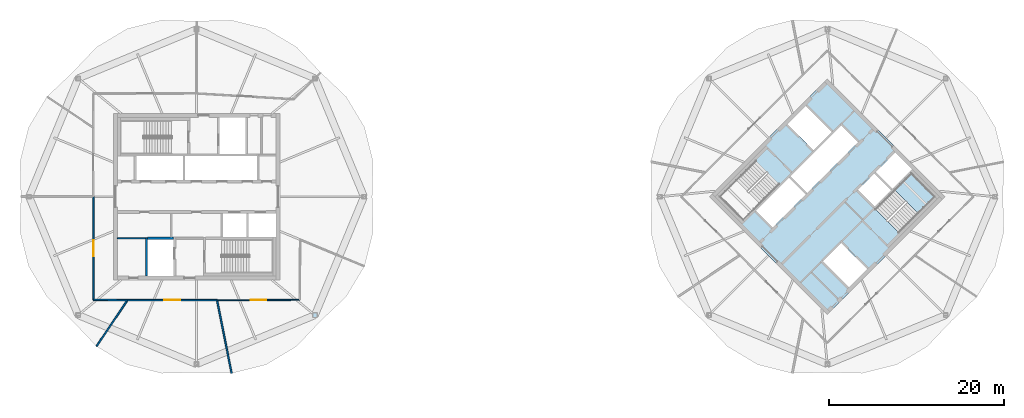
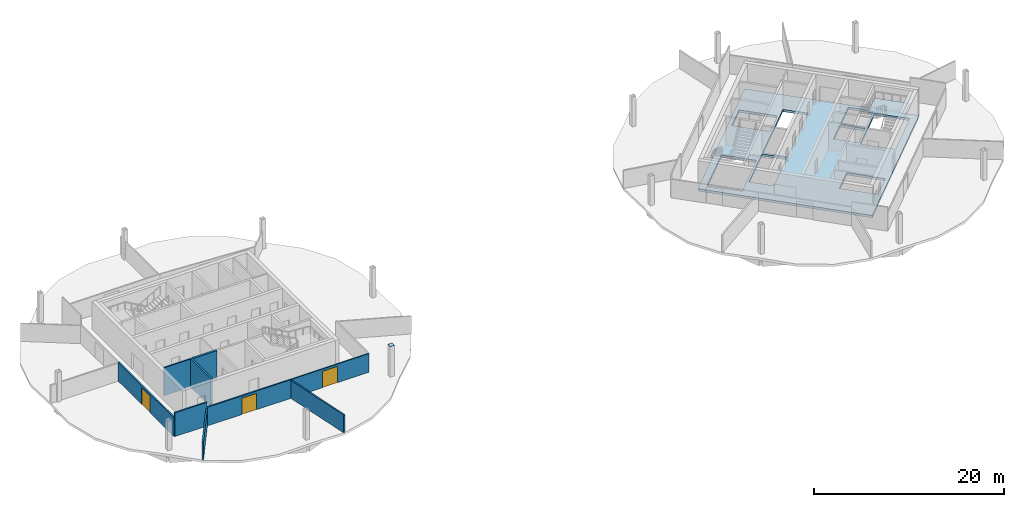
# One storey, part 4 of 10: 9 walls, 3 doors, 2 slabs, 1 plate, 3 openings, 1 element without a shape of its own.
"""IFC4 building model written with IfcOpenShell, lengths in metres."""

from ifc_helpers import new_model, si_unit, direction, frame, frame_2d, origin, place, context, subcontext, project, spatial, polyline, rectangle, outline, extrude, material, layer, layer_set, type_object, element, fill, aggregate, save


model = new_model("IFC4")

# Units and contexts
model_context = context("Model", 3, precision=1e-05, world=origin(), true_north=direction((0.0, 1.0)))
body_context = subcontext(model_context, "Body", "Model", "MODEL_VIEW")
ifc_project = project(units=[si_unit("LENGTHUNIT", "METRE"), si_unit("AREAUNIT", "SQUARE_METRE"), si_unit("VOLUMEUNIT", "CUBIC_METRE"), si_unit("PLANEANGLEUNIT", "RADIAN"), si_unit("MASSUNIT", "GRAM", prefix="KILO")], contexts=[model_context])

# Site, building, storey
site_placement = place(None, origin())
site = spatial("IfcSite", under=ifc_project, at=site_placement, CompositionType="ELEMENT")
building_placement = place(site_placement, origin())
building = spatial("IfcBuilding", under=site, at=building_placement, Name="Ogive Gate Towers", CompositionType="ELEMENT")
storey_placement = place(building_placement, frame((0.0, 0.0, 236.699951171875)))
storey = spatial("IfcBuildingStorey", under=building, at=storey_placement, Name="L56", CompositionType="ELEMENT", Elevation=236.699951171875)

# Slab
ifc_material_1 = material(Name="Concrete C40/50", Category="concrete")
ifc_layer_1 = layer(ifc_material_1, 0.300048828125)
ifc_layer_set_1 = layer_set([ifc_layer_1], Name="Core slab C40/50 300 mm")
slab_type_1 = type_object("IfcSlabType", Name="Core slab C40/50 300 mm", PredefinedType="FLOOR", material=ifc_layer_set_1)
slab_1_placement = place(storey_placement, frame((0.0, 0.0, -0.300048828125)))
element("IfcSlab", 1, at=slab_1_placement, inside=storey, type_object=slab_type_1, Name="T2 L56 core slab", PredefinedType="FLOOR", context=body_context, shape_type="SweptSolid", body=[
    extrude(outline(polyline([(36.0, -13.43505859375), (22.56494140625, 0.0), (36.0, 13.43505859375), (49.43505859375, 0.0), (36.0, -13.43505859375)]), holes=[polyline([(29.777587890625, -3.500244140625), (33.525146484375, 0.24755859375), (31.615966796875, 2.15673828125), (27.868408203125, -1.591064453125), (29.777587890625, -3.500244140625)]), polyline([(31.792724609375, 2.33349609375), (33.701904296875, 0.42431640625), (39.500244140625, 6.222412109375), (37.591064453125, 8.131591796875), (31.792724609375, 2.33349609375)]), polyline([(41.3740234375, 2.651611328125), (39.500244140625, 0.77783203125), (41.409423828125, -1.13134765625), (43.283203125, 0.742431640625), (41.3740234375, 2.651611328125)]), polyline([(45.669677734375, 3.12890625), (43.760498046875, 5.0380859375), (41.55078125, 2.828369140625), (43.4599609375, 0.919189453125), (45.669677734375, 3.12890625)]), polyline([(34.408935546875, 5.30322265625), (36.4951171875, 7.389404296875), (33.542724609375, 10.34130859375), (31.456787109375, 8.255615234375), (34.408935546875, 5.30322265625)]), polyline([(35.5048828125, -7.389404296875), (38.457275390625, -10.34130859375), (40.543212890625, -8.255615234375), (37.591064453125, -5.30322265625), (35.5048828125, -7.389404296875)]), polyline([(26.40087890625, -2.70458984375), (30.512939453125, 1.406982421875), (27.80810546875, 4.11181640625), (23.6962890625, 0.0), (26.40087890625, -2.70458984375)]), polyline([(48.3037109375, 0.0), (45.59912109375, 2.70458984375), (41.487060546875, -1.406982421875), (44.19189453125, -4.11181640625), (48.3037109375, 0.0)])]), origin(), (0.0, 0.0, 1.0), 0.300048828125),
])

# Plate
ifc_material_2 = material(Name="Steel SM460", Category="steel")
ifc_layer_2 = layer(ifc_material_2, 0.030029296875)
ifc_layer_set_2 = layer_set([ifc_layer_2], Name="Hollow section end plate 30")
plate_type = type_object("IfcPlateType", Name="Hollow section end plate 30", PredefinedType="SHEET", material=ifc_layer_set_2)
plate_placement = place(storey_placement, frame((-22.7373046875, -13.7626953125, 3.929931640625), z_axis=(0.0, 0.0, 1.0), x_axis=(1.0, 0.0, 0.0)))
element("IfcPlate", 2, at=plate_placement, inside=storey, type_object=plate_type, Name="End plate", PredefinedType="SHEET", context=body_context, shape_type="SweptSolid", body=[
    extrude(outline(polyline([(0.0, 0.0), (0.5, 0.0), (0.5, 0.5), (0.0, 0.5), (0.0, 0.0)])), origin(), (0.0, 0.0, -1.0), 0.030029296875),
])

# Stair, slab
stair_type = type_object("IfcStairType", Name="Escape stair 1840 wide", PredefinedType="HALF_TURN_STAIR", material=ifc_material_1)
stair_placement = place(storey_placement, origin())
stair = element("IfcStair", 3, at=stair_placement, inside=storey, type_object=stair_type, Name="L56 Escape stair 2", PredefinedType="HALF_TURN_STAIR")
ifc_layer_3 = layer(ifc_material_1, 0.199951171875)
ifc_layer_set_3 = layer_set([ifc_layer_3], Name="Stair landing 200 mm")
slab_type_2 = type_object("IfcSlabType", Name="Stair landing 200 mm", PredefinedType="LANDING", material=ifc_layer_set_3)
slab_2_placement = place(storey_placement, frame((0.0, 0.0, 1.75)))
slab_2 = element("IfcSlab", 4, at=slab_2_placement, type_object=slab_type_2, Name="ST2 landing 1", PredefinedType="LANDING", context=body_context, shape_type="SweptSolid", body=[
    extrude(outline(polyline([(46.3955078125, -1.908203125), (48.3037109375, 0.0), (45.598876953125, 2.70458984375), (43.690673828125, 0.79638671875), (46.3955078125, -1.908203125)])), origin(), (0.0, 0.0, 1.0), 0.199951171875),
])
aggregate(stair, [slab_2])

# Walls
ifc_material_3 = material(Name="Gypsum board acoustic partition")
ifc_layer_4 = layer(ifc_material_3, 0.175048828125)
ifc_layer_set_4 = layer_set([ifc_layer_4], Name="Acoustic partition 175")
wall_type_1 = type_object("IfcWallType", Name="Acoustic partition 175", PredefinedType="PARTITIONING", material=ifc_layer_set_4)
wall_1_placement = place(storey_placement, frame((-47.424072265625, -17.081298828125, 0.0), z_axis=(0.0, 0.0, 1.0), x_axis=(0.555948301376, 0.831216870736, 0.0)))
element("IfcWall", 5, at=wall_1_placement, inside=storey, type_object=wall_type_1, Name="Partition T1-L56-005", PredefinedType="PARTITIONING", context=body_context, shape_type="SweptSolid", body=[
    extrude(rectangle(XDim=6.271484375, YDim=0.175048828125, at=frame_2d((3.1357421875, 0.0))), origin(), (0.0, 0.0, 1.0), 2.300048828125),
])
wall_2_placement = place(storey_placement, frame((-31.99951171875, -20.156494140625, 0.0), z_axis=(0.0, 0.0, 1.0), x_axis=(-0.194666431438, 0.980869502264, 0.0)))
element("IfcWall", 6, at=wall_2_placement, inside=storey, type_object=wall_type_1, Name="Partition T1-L56-006", PredefinedType="PARTITIONING", context=body_context, shape_type="SweptSolid", body=[
    extrude(rectangle(XDim=8.421630859375, YDim=0.175048828125, at=frame_2d((4.2109375, 0.0))), origin(), (0.0, 0.0, 1.0), 2.300048828125),
])

# Wall, opening, door
wall_3_placement = place(storey_placement, frame((-43.888916015625, -11.795654296875, 0.0), z_axis=(0.0, 0.0, 1.0), x_axis=(0.999998975402, -0.001431501134, 0.0)))
wall_3 = element("IfcWall", 7, at=wall_3_placement, inside=storey, type_object=wall_type_1, Name="Partition T1-L56-008", PredefinedType="PARTITIONING", context=body_context, shape_type="SweptSolid", body=[
    extrude(rectangle(XDim=10.23291015625, YDim=0.175048828125, at=frame_2d((5.116455078125, 0.0))), origin(), (0.0, 0.0, 1.0), 2.400146484375),
])
opening_1_placement = place(wall_3_placement, frame((4.216064453125, 0.0, 0.0)))
opening_1 = element("IfcOpeningElement", 8, at=opening_1_placement, cuts=wall_3, Name="Opening T1-L56-D01", PredefinedType="OPENING", context=body_context, shape_type="SweptSolid", body=[
    extrude(rectangle(XDim=1.800048828125, YDim=2.10009765625, at=frame_2d((0.89990234375, 1.050048828125))), frame((0.0, 0.09765625, 0.0), z_axis=(0.0, -1.0, 0.0), x_axis=(1.0, 0.0, 0.0)), (0.0, 0.0, 1.0), 0.195068359375),
])
ifc_material_4 = material(Name="Timber door", Category="wood")
door_type = type_object("IfcDoorType", Name="Door pair 1800", OperationType="NOTDEFINED", PredefinedType="DOOR", material=ifc_material_4)
door_1_placement = place(opening_1_placement, origin())
door_1 = element("IfcDoor", 9, at=door_1_placement, inside=storey, type_object=door_type, Name="Door T1-L56-D01", OperationType="DOUBLE_DOOR_DOUBLE_SWING", OverallHeight=2.10009765625, OverallWidth=1.800048828125, PredefinedType="DOOR", context=body_context, shape_type="SweptSolid", body=[
    extrude(rectangle(XDim=1.800048828125, YDim=2.10009765625, at=frame_2d((0.89990234375, 1.050048828125))), frame((0.0, 0.02490234375, 0.0), z_axis=(0.0, -1.0, 0.0), x_axis=(1.0, 0.0, 0.0)), (0.0, 0.0, 1.0), 0.050048828125),
])
fill(opening_1, door_1)

wall_4_placement = place(storey_placement, frame((-47.7900390625, 0.0, 0.0), z_axis=(0.0, 0.0, 1.0), x_axis=(0.000849723015, -0.999999638985, 0.0)))
wall_4 = element("IfcWall", 10, at=wall_4_placement, inside=storey, type_object=wall_type_1, Name="Partition T1-L56-015", PredefinedType="PARTITIONING", context=body_context, shape_type="SweptSolid", body=[
    extrude(rectangle(XDim=11.780029296875, YDim=0.175048828125, at=frame_2d((5.89013671875, 0.0))), origin(), (0.0, 0.0, 1.0), 2.400146484375),
])
opening_2_placement = place(wall_4_placement, frame((4.989990234375, 0.0, 0.0)))
opening_2 = element("IfcOpeningElement", 11, at=opening_2_placement, cuts=wall_4, Name="Opening T1-L56-D06", PredefinedType="OPENING", context=body_context, shape_type="SweptSolid", body=[
    extrude(rectangle(XDim=1.800048828125, YDim=2.10009765625, at=frame_2d((0.89990234375, 1.050048828125))), frame((0.0, 0.09765625, 0.0), z_axis=(0.0, -1.0, 0.0), x_axis=(1.0, 0.0, 0.0)), (0.0, 0.0, 1.0), 0.195068359375),
])
door_2_placement = place(opening_2_placement, origin())
door_2 = element("IfcDoor", 12, at=door_2_placement, inside=storey, type_object=door_type, Name="Door T1-L56-D06", OperationType="DOUBLE_DOOR_DOUBLE_SWING", OverallHeight=2.10009765625, OverallWidth=1.800048828125, PredefinedType="DOOR", context=body_context, shape_type="SweptSolid", body=[
    extrude(rectangle(XDim=1.800048828125, YDim=2.10009765625, at=frame_2d((0.89990234375, 1.050048828125))), frame((0.0, 0.02490234375, 0.0), z_axis=(0.0, -1.0, 0.0), x_axis=(1.0, 0.0, 0.0)), (0.0, 0.0, 1.0), 0.050048828125),
])
fill(opening_2, door_2)

# Wall
wall_5_placement = place(storey_placement, frame((-47.780029296875, -11.780029296875, 0.0), z_axis=(0.0, 0.0, 1.0), x_axis=(0.999991937735, -0.004015527922, 0.0)))
element("IfcWall", 13, at=wall_5_placement, inside=storey, type_object=wall_type_1, Name="Partition T1-L56-016", PredefinedType="PARTITIONING", context=body_context, shape_type="SweptSolid", body=[
    extrude(rectangle(XDim=3.89111328125, YDim=0.175048828125, at=frame_2d((1.945556640625, 0.0))), origin(), (0.0, 0.0, 1.0), 3.050048828125),
])

# Wall, opening, door
ifc_material_5 = material(Name="Gypsum board partition")
ifc_layer_5 = layer(ifc_material_5, 0.125)
ifc_layer_set_5 = layer_set([ifc_layer_5], Name="Partition 125")
wall_type_2 = type_object("IfcWallType", Name="Partition 125", PredefinedType="PARTITIONING", material=ifc_layer_set_5)
wall_6_placement = place(storey_placement, frame((-33.656005859375, -11.810302734375, 0.0), z_axis=(0.0, 0.0, 1.0), x_axis=(0.999994853511, 0.003208262919, 0.0)))
wall_6 = element("IfcWall", 14, at=wall_6_placement, inside=storey, type_object=wall_type_2, Name="Partition T1-L56-009", PredefinedType="PARTITIONING", context=body_context, shape_type="SweptSolid", body=[
    extrude(rectangle(XDim=9.43603515625, YDim=0.125, at=frame_2d((4.718017578125, 0.0))), origin(), (0.0, 0.0, 1.0), 2.400146484375),
])
opening_3_placement = place(wall_6_placement, frame((3.818115234375, 0.0, 0.0)))
opening_3 = element("IfcOpeningElement", 15, at=opening_3_placement, cuts=wall_6, Name="Opening T1-L56-D02", PredefinedType="OPENING", context=body_context, shape_type="SweptSolid", body=[
    extrude(rectangle(XDim=1.800048828125, YDim=2.10009765625, at=frame_2d((0.89990234375, 1.050048828125))), frame((0.0, 0.072509765625, 0.0), z_axis=(0.0, -1.0, 0.0), x_axis=(1.0, 0.0, 0.0)), (0.0, 0.0, 1.0), 0.14501953125),
])
door_3_placement = place(opening_3_placement, origin())
door_3 = element("IfcDoor", 16, at=door_3_placement, inside=storey, type_object=door_type, Name="Door T1-L56-D02", OperationType="DOUBLE_DOOR_DOUBLE_SWING", OverallHeight=2.10009765625, OverallWidth=1.800048828125, PredefinedType="DOOR", context=body_context, shape_type="SweptSolid", body=[
    extrude(rectangle(XDim=1.800048828125, YDim=2.10009765625, at=frame_2d((0.89990234375, 1.050048828125))), frame((0.0, 0.02490234375, 0.0), z_axis=(0.0, -1.0, 0.0), x_axis=(1.0, 0.0, 0.0)), (0.0, 0.0, 1.0), 0.050048828125),
])
fill(opening_3, door_3)

# Walls
ifc_layer_6 = layer(ifc_material_5, 0.14990234375)
ifc_layer_set_6 = layer_set([ifc_layer_6], Name="Room partition 150 mm")
wall_type_3 = type_object("IfcWallType", Name="Room partition 150 mm", PredefinedType="PARTITIONING", material=ifc_layer_set_6)
wall_7_placement = place(storey_placement, frame((-45.050048828125, -4.75, 0.0), z_axis=(0.0, 0.0, 1.0), x_axis=(1.0, 0.0, 0.0)))
element("IfcWall", 17, at=wall_7_placement, inside=storey, type_object=wall_type_3, Name="T1 L56 Room partition 150 mm", PredefinedType="PARTITIONING", context=body_context, shape_type="SweptSolid", body=[
    extrude(rectangle(XDim=3.22509765625, YDim=0.14990234375, at=frame_2d((1.612548828125, 0.0))), origin(), (0.0, 0.0, 1.0), 3.60009765625),
])
ifc_material_6 = material(Name="Concrete C60/75", Category="concrete")
ifc_layer_7 = layer(ifc_material_6, 0.25)
ifc_layer_set_7 = layer_set([ifc_layer_7], Name="Shaft wall 250 mm")
wall_type_4 = type_object("IfcWallType", Name="Shaft wall 250 mm", PredefinedType="SHEAR", material=ifc_layer_set_7)
wall_8_placement = place(storey_placement, frame((-41.574951171875, -4.75, 0.0), z_axis=(0.0, 0.0, 1.0), x_axis=(1.0, 0.0, 0.0)))
element("IfcWall", 18, at=wall_8_placement, inside=storey, type_object=wall_type_4, Name="T1 L56 Shaft wall 250 mm", PredefinedType="SHEAR", context=body_context, shape_type="SweptSolid", body=[
    extrude(rectangle(XDim=2.949951171875, YDim=0.25, at=frame_2d((1.47509765625, 0.0))), origin(), (0.0, 0.0, 1.0), 3.60009765625),
])
wall_9_placement = place(storey_placement, frame((-41.699951171875, -9.050048828125, 0.0), z_axis=(0.0, 0.0, 1.0), x_axis=(0.0, 1.0, 0.0)))
element("IfcWall", 19, at=wall_9_placement, inside=storey, type_object=wall_type_4, Name="T1 L56 Shaft wall 250 mm", PredefinedType="SHEAR", context=body_context, shape_type="SweptSolid", body=[
    extrude(rectangle(XDim=4.375, YDim=0.25, at=frame_2d((2.1875, 0.0))), origin(), (0.0, 0.0, 1.0), 3.60009765625),
])

save(model, "model.ifc")
